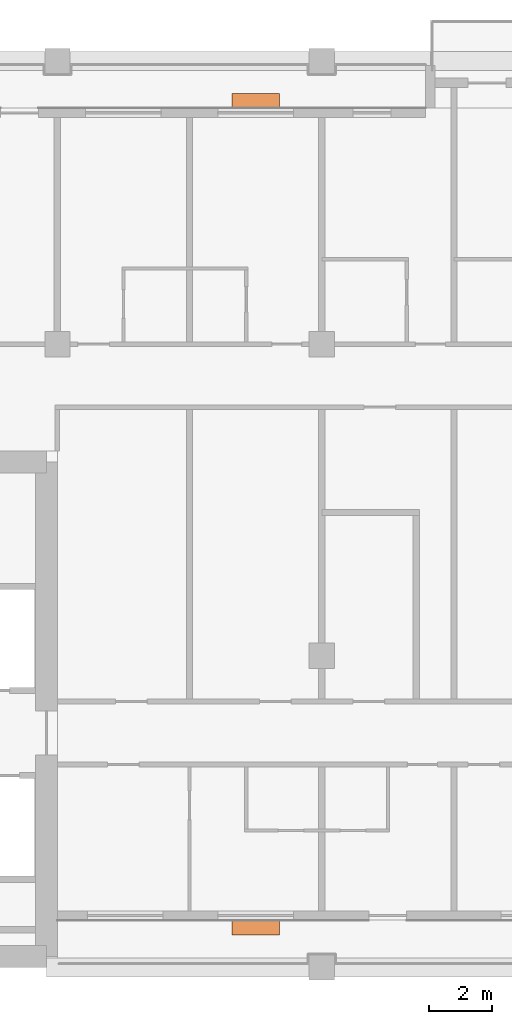
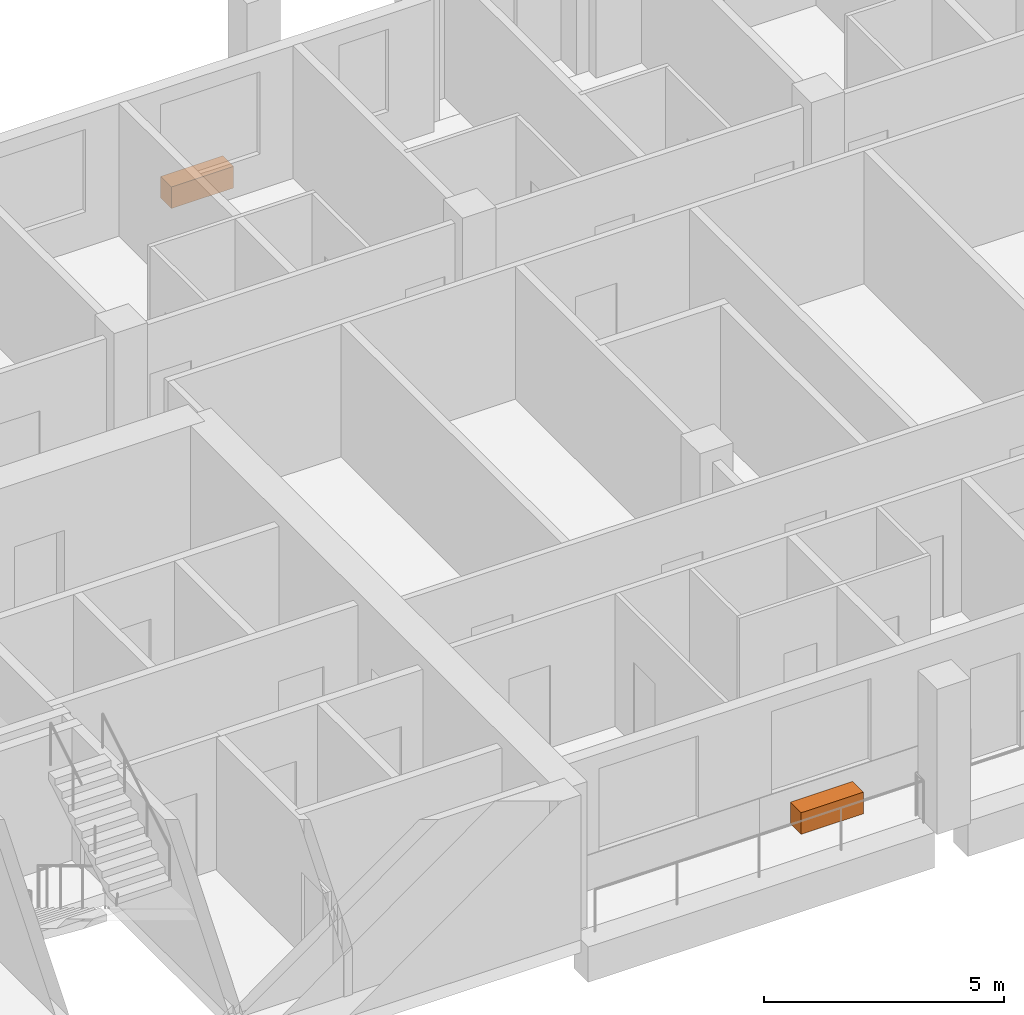
# One storey, part 10 of 10: 2 proxies.
"""IFC4 building model written with IfcOpenShell, lengths in metres."""

import ifcopenshell
import ifcopenshell.guid

model = None  # the IFC model being written
_history = None  # IfcOwnerHistory: only IFC2X3 demands one
_inside = {}  # id of a spatial element -> (the spatial element, [elements in it])
_under = {}  # id of a project, library or spatial element -> (it, [spatial elements below it])
_declared = {}  # id of a project -> (the project, [libraries it declares])
_typed = {}  # id of a type object -> (the type object, [elements of that type])
_made_of = {}  # id of a material, layer set ... -> (it, [elements and type objects made of it])


def new_model(schema):
    """Start an empty IFC model of exactly this schema.

    Asked for "IFC4X3", IfcOpenShell would pick the latest addendum, in which some entities
    have other attributes; the version numbers below select the first issue.
    IFC2X3 requires an IfcOwnerHistory on every rooted entity: one is made here for all.
    """
    global model, _history
    if schema == "IFC4X3":
        model = ifcopenshell.file(schema_version=(4, 3, 0, 0))
    else:
        model = ifcopenshell.file(schema=schema)
    _inside.clear()
    _under.clear()
    _declared.clear()
    _typed.clear()
    _made_of.clear()
    _history = None
    if model.schema == "IFC2X3":
        org = make("IfcOrganization", Name="unknown")
        user = make(
            "IfcPersonAndOrganization",
            ThePerson=make("IfcPerson", FamilyName="unknown"),
            TheOrganization=org,
        )
        app = make(
            "IfcApplication",
            ApplicationDeveloper=org,
            Version="unknown",
            ApplicationFullName="unknown",
            ApplicationIdentifier="unknown",
        )
        _history = make(
            "IfcOwnerHistory",
            OwningUser=user,
            OwningApplication=app,
            ChangeAction="ADDED",
            CreationDate=0,
        )
    return model


def make(cls, **values):
    """One entity of the class cls with the attributes given. An attribute that is None is left unset."""
    return model.create_entity(
        cls, **{name: value for name, value in values.items() if value is not None}
    )


def rooted(cls, **values):
    """An entity with a GlobalId (a new one), such as an element, a storey or a relation."""
    return make(cls, GlobalId=ifcopenshell.guid.new(), OwnerHistory=_history, **values)


def si_unit(unit_type, name, prefix=None):
    """IfcSIUnit, for example si_unit("LENGTHUNIT", "METRE", prefix="MILLI")."""
    return make("IfcSIUnit", UnitType=unit_type, Prefix=prefix, Name=name)


def assignment(units):
    """IfcUnitAssignment: the units of a project."""
    return None if units is None else make("IfcUnitAssignment", Units=units)


def point(xyz):
    """IfcCartesianPoint."""
    return None if xyz is None else make("IfcCartesianPoint", Coordinates=xyz)


def direction(xyz):
    """IfcDirection."""
    return None if xyz is None else make("IfcDirection", DirectionRatios=xyz)


def frame(location, z_axis=None, x_axis=None):
    """IfcAxis2Placement3D, a coordinate frame: its origin and axes. An axis left out is left unset."""
    return make(
        "IfcAxis2Placement3D",
        Location=point(location),
        Axis=direction(z_axis),
        RefDirection=direction(x_axis),
    )


def frame_2d(location, x_axis=None):
    """IfcAxis2Placement2D, a coordinate frame in the plane: its origin and x axis."""
    return make(
        "IfcAxis2Placement2D", Location=point(location), RefDirection=direction(x_axis)
    )


def origin():
    """The frame at (0, 0, 0) with its axes left unset."""
    return frame((0.0, 0.0, 0.0))


def origin_2d():
    """The frame at (0, 0) in the plane with its x axis left unset."""
    return frame_2d((0.0, 0.0))


def place(relative_to, where):
    """IfcLocalPlacement: puts the frame where relative to a parent placement (None: the world)."""
    return make(
        "IfcLocalPlacement", PlacementRelTo=relative_to, RelativePlacement=where
    )


def context(
    kind, dimensions, precision=None, world=None, true_north=None, identifier=None
):
    """IfcGeometricRepresentationContext, for example the 3D "Model" context."""
    return make(
        "IfcGeometricRepresentationContext",
        ContextIdentifier=identifier,
        ContextType=kind,
        CoordinateSpaceDimension=dimensions,
        Precision=precision,
        WorldCoordinateSystem=world,
        TrueNorth=true_north,
    )


def subcontext(parent, identifier, kind, view, scale=None):
    """IfcGeometricRepresentationSubContext, for example "Body" below "Model"."""
    return make(
        "IfcGeometricRepresentationSubContext",
        ContextIdentifier=identifier,
        ContextType=kind,
        ParentContext=parent,
        TargetScale=scale,
        TargetView=view,
    )


def project(units=None, contexts=None):
    """IfcProject with its units and contexts."""
    return rooted(
        "IfcProject",
        Name="project",
        RepresentationContexts=contexts,
        UnitsInContext=assignment(units),
    )


def spatial(cls, under=None, at=None, **own):
    """A site, building, storey or space (cls), placed at a placement, below another one or the project."""
    s = rooted(cls, ObjectPlacement=at, **own)
    if under is not None:
        _under.setdefault(under.id(), (under, []))[1].append(s)
    return s


def profile(cls, at=None, kind="AREA", **sizes):
    """A parametric profile (cls). Its sizes go by their IFC names, for example OverallWidth=200.0."""
    return make(cls, ProfileType=kind, Position=at, **sizes)


def rectangle(**sizes):
    """IfcRectangleProfileDef."""
    return profile("IfcRectangleProfileDef", **sizes)


def extrude(swept, where, along, depth):
    """IfcExtrudedAreaSolid: the profile swept, set in the frame where, extruded along a direction by depth."""
    return make(
        "IfcExtrudedAreaSolid",
        SweptArea=swept,
        Position=where,
        ExtrudedDirection=direction(along),
        Depth=depth,
    )


def shape(context_of_items, identifier, shape_type, items):
    """IfcShapeRepresentation: the items that make up one representation, for example the "Body"."""
    return make(
        "IfcShapeRepresentation",
        ContextOfItems=context_of_items,
        RepresentationIdentifier=identifier,
        RepresentationType=shape_type,
        Items=items,
    )


def made_of(thing, what):
    """Note that an element or type object is made of a material, layer set ...; save() writes the relation."""
    if what is not None:
        _made_of.setdefault(what.id(), (what, []))[1].append(thing)
    return thing


def element(
    cls,
    number,
    at=None,
    inside=None,
    cuts=None,
    type_object=None,
    material=None,
    context=None,
    identifier="Body",
    shape_type=None,
    held_by="IfcProductDefinitionShape",
    body=None,
    shapes=None,
    **own,
):
    """One element of the class cls, such as IfcWall. Its Tag is "e" and its number.

    at: its placement. inside: the storey or other place that contains it. cuts: it is an
    opening in that element (IfcRelVoidsElement). A single representation is given by context,
    identifier, shape_type and body (its items); several are given by shapes. held_by: the class
    of the entity that holds the representations. save() writes the other relations.
    """
    e = rooted(cls, Tag="e%d" % number, ObjectPlacement=at, **own)
    if body is not None:
        shapes = [shape(context, identifier, shape_type, body)]
    if shapes is not None:
        e.Representation = make(held_by, Representations=shapes)
    if inside is not None:
        _inside.setdefault(inside.id(), (inside, []))[1].append(e)
    if cuts is not None:
        rooted(
            "IfcRelVoidsElement", RelatingBuildingElement=cuts, RelatedOpeningElement=e
        )
    if type_object is not None:
        _typed.setdefault(type_object.id(), (type_object, []))[1].append(e)
    return made_of(e, material)


def aggregate(whole, parts):
    """IfcRelAggregates: a whole, such as a stair, and the parts it consists of."""
    return rooted("IfcRelAggregates", RelatingObject=whole, RelatedObjects=parts)


def save(model, path):
    """Write the relations noted so far, then the file.

    IfcRelAggregates (storeys below a building ...), IfcRelContainedInSpatialStructure (elements
    in a storey), IfcRelDefinesByType, IfcRelAssociatesMaterial and IfcRelDeclares: one each for
    every whole, place, type object, material and project.
    """
    for whole, parts in _under.values():
        aggregate(whole, parts)
    for where, things in _inside.values():
        rooted(
            "IfcRelContainedInSpatialStructure",
            RelatedElements=things,
            RelatingStructure=where,
        )
    for kind, things in _typed.values():
        rooted("IfcRelDefinesByType", RelatedObjects=things, RelatingType=kind)
    for what, things in _made_of.values():
        rooted("IfcRelAssociatesMaterial", RelatedObjects=things, RelatingMaterial=what)
    for by, libraries in _declared.values():
        rooted("IfcRelDeclares", RelatingContext=by, RelatedDefinitions=libraries)
    model.write(path)


model = new_model("IFC4")

# Units and contexts
model_context = context("Model", 3, precision=1e-05, world=origin(), true_north=direction((0.0, 1.0)))
body_context = subcontext(model_context, "Body", "Model", "MODEL_VIEW")
ifc_project = project(units=[si_unit("LENGTHUNIT", "METRE"), si_unit("AREAUNIT", "SQUARE_METRE"), si_unit("VOLUMEUNIT", "CUBIC_METRE"), si_unit("PLANEANGLEUNIT", "RADIAN"), si_unit("MASSUNIT", "GRAM", prefix="KILO")], contexts=[model_context])

# Site, building, storey
site_placement = place(None, origin())
site = spatial("IfcSite", under=ifc_project, at=site_placement, CompositionType="ELEMENT")
building_placement = place(site_placement, origin())
building = spatial("IfcBuilding", under=site, at=building_placement, Name="Candeia Pilgrim Tower and Theatre", CompositionType="ELEMENT")
storey_placement = place(building_placement, frame((0.0, 0.0, 292.300048828125)))
storey = spatial("IfcBuildingStorey", under=building, at=storey_placement, Name="L71", CompositionType="ELEMENT", Elevation=292.300048828125)

# Proxies
for number, where, z_axis, x_axis, name in (
    (1, (107.10009765625, 117.2548828125, 0.0), (0.0, 0.0, 1.0), (1.0, 0.0, 0.0), "Planter"),
    (2, (107.10009765625, 143.544921875, 0.0), (0.0, 0.0, 1.0), (-1.0, 0.0, 0.0), "Planter"),
):
    element("IfcBuildingElementProxy", number, at=place(storey_placement, frame(where, z_axis=z_axis, x_axis=x_axis)), inside=storey, Name=name, ObjectType="PLANTER", PredefinedType="USERDEFINED", context=body_context, shape_type="SweptSolid", body=[
        extrude(rectangle(XDim=1.5, YDim=0.449951171875, at=origin_2d()), origin(), (0.0, 0.0, 1.0), 0.550048828125),
    ])

save(model, "model.ifc")
